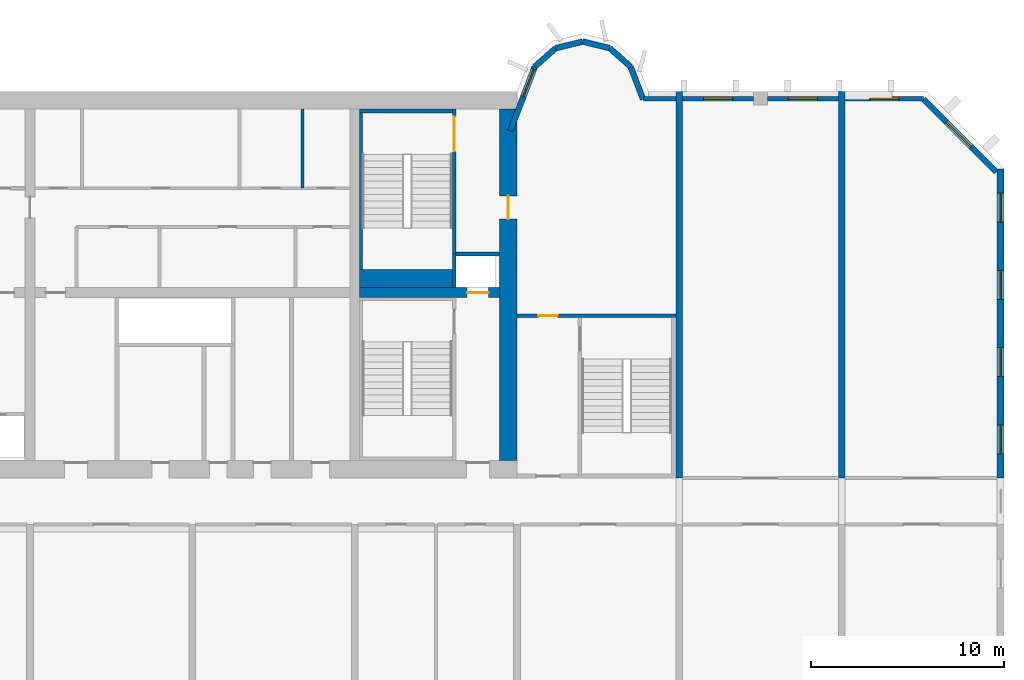
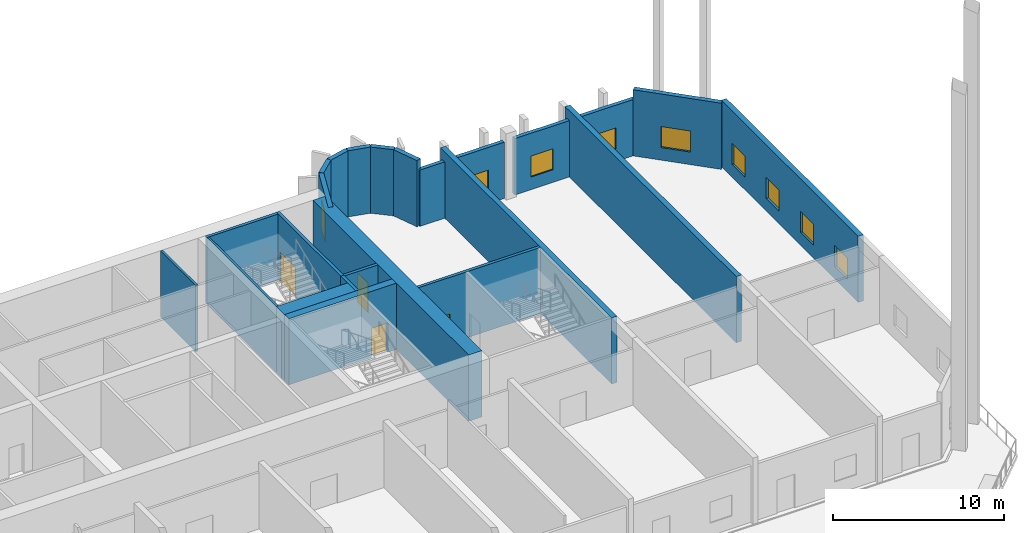
# One storey, part 8 of 13: 24 walls, 9 windows, 4 doors, 13 openings.
"""IFC4 building model written with IfcOpenShell, lengths in metres."""

from ifc_helpers import new_model, si_unit, direction, frame, frame_2d, origin, place, context, subcontext, project, spatial, rectangle, extrude, source, transform, mapped, material, layer, layer_set, type_object, element, fill, save


model = new_model("IFC4")

# Units and contexts
model_context = context("Model", 3, precision=1e-05, world=origin(), true_north=direction((0.0, 1.0)))
body_context = subcontext(model_context, "Body", "Model", "MODEL_VIEW")
ifc_project = project(units=[si_unit("LENGTHUNIT", "METRE"), si_unit("AREAUNIT", "SQUARE_METRE"), si_unit("VOLUMEUNIT", "CUBIC_METRE"), si_unit("PLANEANGLEUNIT", "RADIAN"), si_unit("MASSUNIT", "GRAM", prefix="KILO")], contexts=[model_context])

# Site, building, storey
site_placement = place(None, origin())
site = spatial("IfcSite", under=ifc_project, at=site_placement, CompositionType="ELEMENT")
building_placement = place(site_placement, origin())
building = spatial("IfcBuilding", under=site, at=building_placement, Name="Vanashikhar Sky Hotel", CompositionType="ELEMENT")
storey_placement = place(building_placement, frame((0.0, 0.0, 86.39990234375)))
storey = spatial("IfcBuildingStorey", under=building, at=storey_placement, Name="L20", CompositionType="ELEMENT", Elevation=86.39990234375)

# Wall, opening, door
ifc_material_1 = material(Name="Concrete M70", Category="concrete")
ifc_layer_1 = layer(ifc_material_1, 0.89990234375)
ifc_layer_set_1 = layer_set([ifc_layer_1], Name="RC core shell wall 900 Concrete M70")
wall_type_1 = type_object("IfcWallType", Name="RC core shell wall 900 Concrete M70", PredefinedType="SHEAR", material=ifc_layer_set_1)
shared_shape_1 = source(origin(), body_context, "Body", "SweptSolid", [
    extrude(rectangle(XDim=18.2001953125, YDim=0.89990234375, at=frame_2d((9.10009765625, 0.0))), origin(), (0.0, 0.0, 1.0), 4.72021484375),
])
wall_1_placement = place(storey_placement, frame((75.14990234375, 22.89990234375, 0.0), z_axis=(0.0, 0.0, 1.0), x_axis=(0.0, 1.0, 0.0)))
wall_1 = element("IfcWall", 1, at=wall_1_placement, inside=storey, type_object=wall_type_1, Name="KW-L20-KE", PredefinedType="SHEAR", context=body_context, shape_type="MappedRepresentation", body=[
    mapped(shared_shape_1, transform((0.0, 0.0, 0.0), scale=1.0)),
])
shared_shape_2 = source(origin(), body_context, "Body", "SweptSolid", [
    extrude(rectangle(XDim=1.199951171875, YDim=2.10009765625, at=frame_2d((0.60009765625, 1.050048828125))), frame((0.0, 0.4599609375, 0.0), z_axis=(0.0, -1.0, 0.0), x_axis=(1.0, 0.0, 0.0)), (0.0, 0.0, 1.0), 0.919921875),
])
opening_1_placement = place(wall_1_placement, frame((12.5, 0.0, 0.0)))
opening_1 = element("IfcOpeningElement", 2, at=opening_1_placement, cuts=wall_1, Name="Opening DC-4-D", PredefinedType="OPENING", context=body_context, shape_type="MappedRepresentation", body=[
    mapped(shared_shape_2, transform((0.0, 0.0, 0.0), scale=1.0)),
])
ifc_material_2 = material(Name="Steel", Category="steel")
door_type_1 = type_object("IfcDoorType", Name="Service door 1200 FD120", OperationType="NOTDEFINED", PredefinedType="DOOR", material=ifc_material_2)
shared_shape_3 = source(origin(), body_context, "Body", "SweptSolid", [
    extrude(rectangle(XDim=1.199951171875, YDim=2.10009765625, at=frame_2d((0.60009765625, 1.050048828125))), frame((0.0, 0.02490234375, 0.0), z_axis=(0.0, -1.0, 0.0), x_axis=(1.0, 0.0, 0.0)), (0.0, 0.0, 1.0), 0.050048828125),
])
door_1_placement = place(opening_1_placement, origin())
door_1 = element("IfcDoor", 3, at=door_1_placement, inside=storey, type_object=door_type_1, Name="Service door 1200 FD120", OperationType="SINGLE_SWING_RIGHT", OverallHeight=2.10009765625, OverallWidth=1.199951171875, PredefinedType="DOOR", context=body_context, shape_type="MappedRepresentation", body=[
    mapped(shared_shape_3, transform((0.0, 0.0, 0.0), scale=1.0)),
])
fill(opening_1, door_1)

ifc_layer_2 = layer(ifc_material_1, 0.5)
ifc_layer_set_2 = layer_set([ifc_layer_2], Name="RC core inner wall 500 Concrete M70")
wall_type_2 = type_object("IfcWallType", Name="RC core inner wall 500 Concrete M70", PredefinedType="SHEAR", material=ifc_layer_set_2)
shared_shape_4 = source(origin(), body_context, "Body", "SweptSolid", [
    extrude(rectangle(XDim=7.25, YDim=0.5, at=frame_2d((3.625, 0.0))), origin(), (0.0, 0.0, 1.0), 4.72021484375),
])
wall_2_placement = place(storey_placement, frame((67.449951171875, 31.60009765625, 0.0), z_axis=(0.0, 0.0, 1.0), x_axis=(1.0, 0.0, 0.0)))
wall_2 = element("IfcWall", 4, at=wall_2_placement, inside=storey, type_object=wall_type_2, Name="KW-L20-KY4", PredefinedType="SHEAR", context=body_context, shape_type="MappedRepresentation", body=[
    mapped(shared_shape_4, transform((0.0, 0.0, 0.0), scale=1.0)),
])
shared_shape_5 = source(origin(), body_context, "Body", "SweptSolid", [
    extrude(rectangle(XDim=1.10009765625, YDim=2.10009765625, at=frame_2d((0.550048828125, 1.050048828125))), frame((0.0, 0.260009765625, 0.0), z_axis=(0.0, -1.0, 0.0), x_axis=(1.0, 0.0, 0.0)), (0.0, 0.0, 1.0), 0.52001953125),
])
opening_2_placement = place(wall_2_placement, frame((5.574951171875, 0.0, 0.0)))
opening_2 = element("IfcOpeningElement", 5, at=opening_2_placement, cuts=wall_2, Name="Opening LD", PredefinedType="OPENING", context=body_context, shape_type="MappedRepresentation", body=[
    mapped(shared_shape_5, transform((0.0, 0.0, 0.0), scale=1.0)),
])
ifc_material_3 = material(Name="Stainless steel", Category="steel")
door_type_2 = type_object("IfcDoorType", Name="Lift landing door 1100", OperationType="NOTDEFINED", PredefinedType="DOOR", material=ifc_material_3)
shared_shape_6 = source(origin(), body_context, "Body", "SweptSolid", [
    extrude(rectangle(XDim=1.10009765625, YDim=2.10009765625, at=frame_2d((0.550048828125, 1.050048828125))), frame((0.0, 0.02490234375, 0.0), z_axis=(0.0, -1.0, 0.0), x_axis=(1.0, 0.0, 0.0)), (0.0, 0.0, 1.0), 0.050048828125),
])
door_2_placement = place(opening_2_placement, origin())
door_2 = element("IfcDoor", 6, at=door_2_placement, inside=storey, type_object=door_type_2, Name="Lift landing door 1100", OperationType="SLIDING_TO_RIGHT", OverallHeight=2.10009765625, OverallWidth=1.10009765625, PredefinedType="DOOR", context=body_context, shape_type="MappedRepresentation", body=[
    mapped(shared_shape_6, transform((0.0, 0.0, 0.0), scale=1.0)),
])
fill(opening_2, door_2)

# Wall, openings, windows
ifc_layer_3 = layer(ifc_material_1, 0.35009765625)
ifc_layer_set_3 = layer_set([ifc_layer_3], Name="RC shear wall 350 Concrete M70")
wall_type_3 = type_object("IfcWallType", Name="RC shear wall 350 Concrete M70", PredefinedType="SHEAR", material=ifc_layer_set_3)
shared_shape_7 = source(origin(), body_context, "Body", "SweptSolid", [
    extrude(rectangle(XDim=16.0, YDim=0.35009765625, at=frame_2d((8.0, 0.0))), origin(), (0.0, 0.0, 1.0), 4.72021484375),
])
wall_3_placement = place(storey_placement, frame((100.625, 22.0, 0.0), z_axis=(0.0, 0.0, 1.0), x_axis=(0.0, 1.0, 0.0)))
wall_3 = element("IfcWall", 7, at=wall_3_placement, inside=storey, type_object=wall_type_3, Name="CW-L20-XW13-2", PredefinedType="SHEAR", context=body_context, shape_type="MappedRepresentation", body=[
    mapped(shared_shape_7, transform((0.0, 0.0, 0.0), scale=1.0)),
])
shared_shape_8 = source(origin(), body_context, "Body", "SweptSolid", [
    extrude(rectangle(XDim=1.5, YDim=1.5, at=frame_2d((0.75, 0.75))), frame((0.0, 0.18505859375, 0.0), z_axis=(0.0, -1.0, 0.0), x_axis=(1.0, 0.0, 0.0)), (0.0, 0.0, 1.0), 0.3701171875),
])
opening_3_placement = place(wall_3_placement, frame((1.25, 0.0, 0.89990234375)))
opening_3 = element("IfcOpeningElement", 8, at=opening_3_placement, cuts=wall_3, Name="Opening WN-1", PredefinedType="OPENING", context=body_context, shape_type="MappedRepresentation", body=[
    mapped(shared_shape_8, transform((0.0, 0.0, 0.0), scale=1.0)),
])
opening_4_placement = place(wall_3_placement, frame((5.25, 0.0, 0.89990234375)))
opening_4 = element("IfcOpeningElement", 9, at=opening_4_placement, cuts=wall_3, Name="Opening WN-1", PredefinedType="OPENING", context=body_context, shape_type="MappedRepresentation", body=[
    mapped(shared_shape_8, transform((0.0, 0.0, 0.0), scale=1.0)),
])
opening_5_placement = place(wall_3_placement, frame((9.25, 0.0, 0.89990234375)))
opening_5 = element("IfcOpeningElement", 10, at=opening_5_placement, cuts=wall_3, Name="Opening WN-1", PredefinedType="OPENING", context=body_context, shape_type="MappedRepresentation", body=[
    mapped(shared_shape_8, transform((0.0, 0.0, 0.0), scale=1.0)),
])
opening_6_placement = place(wall_3_placement, frame((13.25, 0.0, 0.89990234375)))
opening_6 = element("IfcOpeningElement", 11, at=opening_6_placement, cuts=wall_3, Name="Opening WN-1", PredefinedType="OPENING", context=body_context, shape_type="MappedRepresentation", body=[
    mapped(shared_shape_8, transform((0.0, 0.0, 0.0), scale=1.0)),
])
ifc_material_4 = material(Name="Glass", Category="glass")
window_type_1 = type_object("IfcWindowType", Name="Window 1500 x 1500", PartitioningType="SINGLE_PANEL", PredefinedType="WINDOW", material=ifc_material_4)
shared_shape_9 = source(origin(), body_context, "Body", "SweptSolid", [
    extrude(rectangle(XDim=1.5, YDim=1.5, at=frame_2d((0.75, 0.75))), frame((0.0, 0.030029296875, 0.0), z_axis=(0.0, -1.0, 0.0), x_axis=(1.0, 0.0, 0.0)), (0.0, 0.0, 1.0), 0.06005859375),
])
window_1_placement = place(opening_3_placement, origin())
window_1 = element("IfcWindow", 12, at=window_1_placement, inside=storey, type_object=window_type_1, Name="Window WN-1", OverallHeight=1.5, OverallWidth=1.5, PartitioningType="SINGLE_PANEL", PredefinedType="WINDOW", context=body_context, shape_type="MappedRepresentation", body=[
    mapped(shared_shape_9, transform((0.0, 0.0, 0.0), scale=1.0)),
])
fill(opening_3, window_1)
window_2_placement = place(opening_4_placement, origin())
window_2 = element("IfcWindow", 13, at=window_2_placement, inside=storey, type_object=window_type_1, Name="Window WN-1", OverallHeight=1.5, OverallWidth=1.5, PartitioningType="SINGLE_PANEL", PredefinedType="WINDOW", context=body_context, shape_type="MappedRepresentation", body=[
    mapped(shared_shape_9, transform((0.0, 0.0, 0.0), scale=1.0)),
])
fill(opening_4, window_2)
window_3_placement = place(opening_5_placement, origin())
window_3 = element("IfcWindow", 14, at=window_3_placement, inside=storey, type_object=window_type_1, Name="Window WN-1", OverallHeight=1.5, OverallWidth=1.5, PartitioningType="SINGLE_PANEL", PredefinedType="WINDOW", context=body_context, shape_type="MappedRepresentation", body=[
    mapped(shared_shape_9, transform((0.0, 0.0, 0.0), scale=1.0)),
])
fill(opening_5, window_3)
window_4_placement = place(opening_6_placement, origin())
window_4 = element("IfcWindow", 15, at=window_4_placement, inside=storey, type_object=window_type_1, Name="Window WN-1", OverallHeight=1.5, OverallWidth=1.5, PartitioningType="SINGLE_PANEL", PredefinedType="WINDOW", context=body_context, shape_type="MappedRepresentation", body=[
    mapped(shared_shape_9, transform((0.0, 0.0, 0.0), scale=1.0)),
])
fill(opening_6, window_4)

# Walls
shared_shape_10 = source(origin(), body_context, "Body", "SweptSolid", [
    extrude(rectangle(XDim=20.0, YDim=0.35009765625, at=frame_2d((10.0, 0.0))), origin(), (0.0, 0.0, 1.0), 4.72021484375),
])
for number, where, z_axis, x_axis, name in (
    (16, (84.0, 22.0, 0.0), (0.0, 0.0, 1.0), (0.0, 1.0, 0.0), "CW-L20-XW11-2"),
    (17, (92.39990234375, 22.0, 0.0), (0.0, 0.0, 1.0), (0.0, 1.0, 0.0), "CW-L20-XW12-2"),
):
    element("IfcWall", number, at=place(storey_placement, frame(where, z_axis=z_axis, x_axis=x_axis)), inside=storey, type_object=wall_type_3, Name=name, PredefinedType="SHEAR", context=body_context, shape_type="MappedRepresentation", body=[
        mapped(shared_shape_10, transform((0.0, 0.0, 0.0), scale=1.0)),
    ])

# Wall, opening, window
ifc_material_5 = material(Name="Concrete M50", Category="concrete")
ifc_layer_4 = layer(ifc_material_5, 0.300048828125)
ifc_layer_set_4 = layer_set([ifc_layer_4], Name="Lobe wall 300")
wall_type_4 = type_object("IfcWallType", Name="Lobe wall 300", PredefinedType="SOLIDWALL", material=ifc_layer_set_4)
shared_shape_11 = source(origin(), body_context, "Body", "SweptSolid", [
    extrude(rectangle(XDim=5.32568359375, YDim=0.300048828125, at=frame_2d((2.662841796875, 0.0))), origin(), (0.0, 0.0, 1.0), 4.72021484375),
])
wall_4_placement = place(storey_placement, frame((100.39990234375, 37.834228515625, 0.0), z_axis=(0.0, 0.0, 1.0), x_axis=(-0.707083859269, 0.707129702361, 0.0)))
wall_4 = element("IfcWall", 18, at=wall_4_placement, inside=storey, type_object=wall_type_4, Name="Corner wall", PredefinedType="SOLIDWALL", context=body_context, shape_type="MappedRepresentation", body=[
    mapped(shared_shape_11, transform((0.0, 0.0, 0.0), scale=1.0)),
])
shared_shape_12 = source(origin(), body_context, "Body", "SweptSolid", [
    extrude(rectangle(XDim=1.800048828125, YDim=1.5, at=frame_2d((0.89990234375, 0.75))), frame((0.0, 0.16015625, 0.0), z_axis=(0.0, -1.0, 0.0), x_axis=(1.0, 0.0, 0.0)), (0.0, 0.0, 1.0), 0.320068359375),
])
opening_7_placement = place(wall_4_placement, frame((1.853759765625, 0.0, 0.89990234375)))
opening_7 = element("IfcOpeningElement", 19, at=opening_7_placement, cuts=wall_4, Name="Opening WN-4", PredefinedType="OPENING", context=body_context, shape_type="MappedRepresentation", body=[
    mapped(shared_shape_12, transform((0.0, 0.0, 0.0), scale=1.0)),
])
window_type_2 = type_object("IfcWindowType", Name="Corner window 1800 x 1500", PartitioningType="SINGLE_PANEL", PredefinedType="WINDOW", material=ifc_material_4)
shared_shape_13 = source(origin(), body_context, "Body", "SweptSolid", [
    extrude(rectangle(XDim=1.800048828125, YDim=1.5, at=frame_2d((0.89990234375, 0.75))), frame((0.0, 0.030029296875, 0.0), z_axis=(0.0, -1.0, 0.0), x_axis=(1.0, 0.0, 0.0)), (0.0, 0.0, 1.0), 0.06005859375),
])
window_5_placement = place(opening_7_placement, origin())
window_5 = element("IfcWindow", 20, at=window_5_placement, inside=storey, type_object=window_type_2, Name="Window WN-4", OverallHeight=1.5, OverallWidth=1.800048828125, PartitioningType="SINGLE_PANEL", PredefinedType="WINDOW", context=body_context, shape_type="MappedRepresentation", body=[
    mapped(shared_shape_13, transform((0.0, 0.0, 0.0), scale=1.0)),
])
fill(opening_7, window_5)

# Wall
ifc_layer_5 = layer(ifc_material_5, 0.25)
ifc_layer_set_5 = layer_set([ifc_layer_5], Name="Rear and end board-marked wall 250")
wall_type_5 = type_object("IfcWallType", Name="Rear and end board-marked wall 250", PredefinedType="SOLIDWALL", material=ifc_layer_set_5)
shared_shape_14 = source(origin(), body_context, "Body", "SweptSolid", [
    extrude(rectangle(XDim=1.682861328125, YDim=0.25, at=frame_2d((0.84130859375, 0.0))), origin(), (0.0, 0.0, 1.0), 4.02001953125),
])
wall_5_placement = place(storey_placement, frame((83.824951171875, 41.625, 0.0), z_axis=(0.0, 0.0, 1.0), x_axis=(-1.0, 0.0, 0.0)))
element("IfcWall", 21, at=wall_5_placement, inside=storey, type_object=wall_type_5, Name="Rear board-marked wall", PredefinedType="SOLIDWALL", context=body_context, shape_type="MappedRepresentation", body=[
    mapped(shared_shape_14, transform((0.0, 0.0, 0.0), scale=1.0)),
])

# Wall, opening, window
shared_shape_15 = source(origin(), body_context, "Body", "SweptSolid", [
    extrude(rectangle(XDim=3.675048828125, YDim=0.25, at=frame_2d((1.83740234375, 0.0))), origin(), (0.0, 0.0, 1.0), 4.02001953125),
])
wall_6_placement = place(storey_placement, frame((87.85009765625, 41.625, 0.0), z_axis=(0.0, 0.0, 1.0), x_axis=(-1.0, 0.0, 0.0)))
wall_6 = element("IfcWall", 22, at=wall_6_placement, inside=storey, type_object=wall_type_5, Name="Rear board-marked wall", PredefinedType="SOLIDWALL", context=body_context, shape_type="MappedRepresentation", body=[
    mapped(shared_shape_15, transform((0.0, 0.0, 0.0), scale=1.0)),
])
shared_shape_16 = source(origin(), body_context, "Body", "SweptSolid", [
    extrude(rectangle(XDim=1.5, YDim=1.5, at=frame_2d((0.75, 0.75))), frame((0.0, 0.135009765625, 0.0), z_axis=(0.0, -1.0, 0.0), x_axis=(1.0, 0.0, 0.0)), (0.0, 0.0, 1.0), 0.27001953125),
])
opening_8_placement = place(wall_6_placement, frame((1.08740234375, 0.0, 0.89990234375)))
opening_8 = element("IfcOpeningElement", 23, at=opening_8_placement, cuts=wall_6, Name="Opening WN-1", PredefinedType="OPENING", context=body_context, shape_type="MappedRepresentation", body=[
    mapped(shared_shape_16, transform((0.0, 0.0, 0.0), scale=1.0)),
])
window_6_placement = place(opening_8_placement, origin())
window_6 = element("IfcWindow", 24, at=window_6_placement, inside=storey, type_object=window_type_1, Name="Window WN-1", OverallHeight=1.5, OverallWidth=1.5, PartitioningType="SINGLE_PANEL", PredefinedType="WINDOW", context=body_context, shape_type="MappedRepresentation", body=[
    mapped(shared_shape_9, transform((0.0, 0.0, 0.0), scale=1.0)),
])
fill(opening_8, window_6)

wall_7_placement = place(storey_placement, frame((92.22509765625, 41.625, 0.0), z_axis=(0.0, 0.0, 1.0), x_axis=(-1.0, 0.0, 0.0)))
wall_7 = element("IfcWall", 25, at=wall_7_placement, inside=storey, type_object=wall_type_5, Name="Rear board-marked wall", PredefinedType="SOLIDWALL", context=body_context, shape_type="MappedRepresentation", body=[
    mapped(shared_shape_15, transform((0.0, 0.0, 0.0), scale=1.0)),
])
opening_9_placement = place(wall_7_placement, frame((1.08740234375, 0.0, 0.89990234375)))
opening_9 = element("IfcOpeningElement", 26, at=opening_9_placement, cuts=wall_7, Name="Opening WN-1", PredefinedType="OPENING", context=body_context, shape_type="MappedRepresentation", body=[
    mapped(shared_shape_16, transform((0.0, 0.0, 0.0), scale=1.0)),
])
window_7_placement = place(opening_9_placement, origin())
window_7 = element("IfcWindow", 27, at=window_7_placement, inside=storey, type_object=window_type_1, Name="Window WN-1", OverallHeight=1.5, OverallWidth=1.5, PartitioningType="SINGLE_PANEL", PredefinedType="WINDOW", context=body_context, shape_type="MappedRepresentation", body=[
    mapped(shared_shape_9, transform((0.0, 0.0, 0.0), scale=1.0)),
])
fill(opening_9, window_7)

shared_shape_17 = source(origin(), body_context, "Body", "SweptSolid", [
    extrude(rectangle(XDim=4.06982421875, YDim=0.25, at=frame_2d((2.034912109375, 0.0))), origin(), (0.0, 0.0, 1.0), 4.02001953125),
])
wall_8_placement = place(storey_placement, frame((96.644775390625, 41.625, 0.0), z_axis=(0.0, 0.0, 1.0), x_axis=(-1.0, 0.0, 0.0)))
wall_8 = element("IfcWall", 28, at=wall_8_placement, inside=storey, type_object=wall_type_5, Name="Rear board-marked wall", PredefinedType="SOLIDWALL", context=body_context, shape_type="MappedRepresentation", body=[
    mapped(shared_shape_17, transform((0.0, 0.0, 0.0), scale=1.0)),
])
opening_10_placement = place(wall_8_placement, frame((1.284912109375, 0.0, 0.89990234375)))
opening_10 = element("IfcOpeningElement", 29, at=opening_10_placement, cuts=wall_8, Name="Opening WN-1", PredefinedType="OPENING", context=body_context, shape_type="MappedRepresentation", body=[
    mapped(shared_shape_16, transform((0.0, 0.0, 0.0), scale=1.0)),
])
window_8_placement = place(opening_10_placement, origin())
window_8 = element("IfcWindow", 30, at=window_8_placement, inside=storey, type_object=window_type_1, Name="Window WN-1", OverallHeight=1.5, OverallWidth=1.5, PartitioningType="SINGLE_PANEL", PredefinedType="WINDOW", context=body_context, shape_type="MappedRepresentation", body=[
    mapped(shared_shape_9, transform((0.0, 0.0, 0.0), scale=1.0)),
])
fill(opening_10, window_8)

# Walls
shared_shape_18 = source(origin(), body_context, "Body", "SweptSolid", [
    extrude(rectangle(XDim=1.81201171875, YDim=0.300048828125, at=frame_2d((0.906005859375, 0.0))), origin(), (0.0, 0.0, 1.0), 4.72021484375),
])
wall_9_placement = place(storey_placement, frame((82.125, 41.60009765625, 0.0), z_axis=(0.0, 0.0, 1.0), x_axis=(-0.357877270961, 0.93376863244, 0.0)))
element("IfcWall", 31, at=wall_9_placement, inside=storey, type_object=wall_type_4, Name="Lobe wall", PredefinedType="SOLIDWALL", context=body_context, shape_type="MappedRepresentation", body=[
    mapped(shared_shape_18, transform((0.0, 0.0, 0.0), scale=1.0)),
])
shared_shape_19 = source(origin(), body_context, "Body", "SweptSolid", [
    extrude(rectangle(XDim=1.43994140625, YDim=0.300048828125, at=frame_2d((0.719970703125, 0.0))), origin(), (0.0, 0.0, 1.0), 4.72021484375),
])
for number, where, z_axis, x_axis, name in (
    (32, (81.4765625, 43.2919921875, 0.0), (0.0, 0.0, 1.0), (-0.74957555648, 0.661918790432, 0.0), "Lobe wall"),
    (33, (77.602783203125, 44.2451171875, 0.0), (0.0, 0.0, 1.0), (-0.74957555648, -0.661918790432, 0.0), "Lobe wall"),
):
    element("IfcWall", number, at=place(storey_placement, frame(where, z_axis=z_axis, x_axis=x_axis)), inside=storey, type_object=wall_type_4, Name=name, PredefinedType="SOLIDWALL", context=body_context, shape_type="MappedRepresentation", body=[
        mapped(shared_shape_19, transform((0.0, 0.0, 0.0), scale=1.0)),
    ])
shared_shape_20 = source(origin(), body_context, "Body", "SweptSolid", [
    extrude(rectangle(XDim=1.438720703125, YDim=0.300048828125, at=frame_2d((0.71923828125, 0.0))), origin(), (0.0, 0.0, 1.0), 4.72021484375),
])
for number, where, z_axis, x_axis, name in (
    (34, (80.397216796875, 44.2451171875, 0.0), (0.0, 0.0, 1.0), (-0.971161932466, 0.238420848351, 0.0), "Lobe wall"),
    (35, (79.0, 44.588134765625, 0.0), (0.0, 0.0, 1.0), (-0.971161932466, -0.238420848351, 0.0), "Lobe wall"),
):
    element("IfcWall", number, at=place(storey_placement, frame(where, z_axis=z_axis, x_axis=x_axis)), inside=storey, type_object=wall_type_4, Name=name, PredefinedType="SOLIDWALL", context=body_context, shape_type="MappedRepresentation", body=[
        mapped(shared_shape_20, transform((0.0, 0.0, 0.0), scale=1.0)),
    ])

# Wall, opening, window
shared_shape_21 = source(origin(), body_context, "Body", "SweptSolid", [
    extrude(rectangle(XDim=3.55908203125, YDim=0.300048828125, at=frame_2d((1.779541015625, 0.0))), origin(), (0.0, 0.0, 1.0), 4.72021484375),
])
wall_10_placement = place(storey_placement, frame((76.5234375, 43.2919921875, 0.0), z_axis=(0.0, 0.0, 1.0), x_axis=(-0.35779745313, -0.933799219604, 0.0)))
wall_10 = element("IfcWall", 36, at=wall_10_placement, inside=storey, type_object=wall_type_4, Name="Lobe wall", PredefinedType="SOLIDWALL", context=body_context, shape_type="MappedRepresentation", body=[
    mapped(shared_shape_21, transform((0.0, 0.0, 0.0), scale=1.0)),
])
shared_shape_22 = source(origin(), body_context, "Body", "SweptSolid", [
    extrude(rectangle(XDim=1.5, YDim=2.0, at=frame_2d((0.75, 1.0))), frame((0.0, 0.16015625, 0.0), z_axis=(0.0, -1.0, 0.0), x_axis=(1.0, 0.0, 0.0)), (0.0, 0.0, 1.0), 0.320068359375),
])
opening_11_placement = place(wall_10_placement, frame((0.156005859375, 0.0, 0.89990234375)))
opening_11 = element("IfcOpeningElement", 37, at=opening_11_placement, cuts=wall_10, Name="Opening WN-2", PredefinedType="OPENING", context=body_context, shape_type="MappedRepresentation", body=[
    mapped(shared_shape_22, transform((0.0, 0.0, 0.0), scale=1.0)),
])
window_type_3 = type_object("IfcWindowType", Name="Lobe window 1500 x 2000", PartitioningType="SINGLE_PANEL", PredefinedType="WINDOW", material=ifc_material_4)
shared_shape_23 = source(origin(), body_context, "Body", "SweptSolid", [
    extrude(rectangle(XDim=1.5, YDim=2.0, at=frame_2d((0.75, 1.0))), frame((0.0, 0.030029296875, 0.0), z_axis=(0.0, -1.0, 0.0), x_axis=(1.0, 0.0, 0.0)), (0.0, 0.0, 1.0), 0.06005859375),
])
window_9_placement = place(opening_11_placement, origin())
window_9 = element("IfcWindow", 38, at=window_9_placement, inside=storey, type_object=window_type_3, Name="Window WN-2", OverallHeight=2.0, OverallWidth=1.5, PartitioningType="SINGLE_PANEL", PredefinedType="WINDOW", context=body_context, shape_type="MappedRepresentation", body=[
    mapped(shared_shape_23, transform((0.0, 0.0, 0.0), scale=1.0)),
])
fill(opening_11, window_9)

# Walls
ifc_material_6 = material(Name="Gypsum board partition")
ifc_layer_6 = layer(ifc_material_6, 0.14990234375)
ifc_layer_set_6 = layer_set([ifc_layer_6], Name="Service partition 150")
wall_type_6 = type_object("IfcWallType", Name="Service partition 150", PredefinedType="PARTITIONING", material=ifc_layer_set_6)
shared_shape_24 = source(origin(), body_context, "Body", "SweptSolid", [
    extrude(rectangle(XDim=4.10009765625, YDim=0.14990234375, at=frame_2d((2.050048828125, 0.0))), origin(), (0.0, 0.0, 1.0), 4.72021484375),
])
wall_11_placement = place(storey_placement, frame((64.5048828125, 37.0, 0.0), z_axis=(0.0, 0.0, 1.0), x_axis=(0.0, 1.0, 0.0)))
element("IfcWall", 39, at=wall_11_placement, inside=storey, type_object=wall_type_6, Name="Service partition 150", PredefinedType="PARTITIONING", context=body_context, shape_type="MappedRepresentation", body=[
    mapped(shared_shape_24, transform((0.0, 0.0, 0.0), scale=1.0)),
])
ifc_material_7 = material(Name="Concrete M40", Category="concrete")
ifc_layer_7 = layer(ifc_material_7, 0.199951171875)
ifc_layer_set_7 = layer_set([ifc_layer_7], Name="Shaft wall 200")
wall_type_7 = type_object("IfcWallType", Name="Shaft wall 200", PredefinedType="SOLIDWALL", material=ifc_layer_set_7)
shared_shape_25 = source(origin(), body_context, "Body", "SweptSolid", [
    extrude(rectangle(XDim=1.75, YDim=0.199951171875, at=frame_2d((0.875, 0.0))), origin(), (0.0, 0.0, 1.0), 4.72021484375),
])
wall_12_placement = place(storey_placement, frame((72.35009765625, 31.85009765625, 0.0), z_axis=(0.0, 0.0, 1.0), x_axis=(0.0, 1.0, 0.0)))
element("IfcWall", 40, at=wall_12_placement, inside=storey, type_object=wall_type_7, Name="Shaft wall 200", PredefinedType="SOLIDWALL", context=body_context, shape_type="MappedRepresentation", body=[
    mapped(shared_shape_25, transform((0.0, 0.0, 0.0), scale=1.0)),
])

# Wall, opening, door
ifc_layer_8 = layer(ifc_material_5, 0.199951171875)
ifc_layer_set_8 = layer_set([ifc_layer_8], Name="Stair wall 200")
wall_type_8 = type_object("IfcWallType", Name="Stair wall 200", PredefinedType="SOLIDWALL", material=ifc_layer_set_8)
shared_shape_26 = source(origin(), body_context, "Body", "SweptSolid", [
    extrude(rectangle(XDim=7.5, YDim=0.199951171875, at=frame_2d((3.75, 0.0))), origin(), (0.0, 0.0, 1.0), 4.72021484375),
])
wall_13_placement = place(storey_placement, frame((72.35009765625, 33.60009765625, 0.0), z_axis=(0.0, 0.0, 1.0), x_axis=(0.0, 1.0, 0.0)))
wall_13 = element("IfcWall", 41, at=wall_13_placement, inside=storey, type_object=wall_type_8, Name="Stair wall 200", PredefinedType="SOLIDWALL", context=body_context, shape_type="MappedRepresentation", body=[
    mapped(shared_shape_26, transform((0.0, 0.0, 0.0), scale=1.0)),
])
shared_shape_27 = source(origin(), body_context, "Body", "SweptSolid", [
    extrude(rectangle(XDim=1.800048828125, YDim=2.10009765625, at=frame_2d((0.89990234375, 1.050048828125))), frame((0.0, 0.10986328125, 0.0), z_axis=(0.0, -1.0, 0.0), x_axis=(1.0, 0.0, 0.0)), (0.0, 0.0, 1.0), 0.219970703125),
])
opening_12_placement = place(wall_13_placement, frame((5.300048828125, 0.0, 0.0)))
opening_12 = element("IfcOpeningElement", 42, at=opening_12_placement, cuts=wall_13, Name="Opening DC-1-A", PredefinedType="OPENING", context=body_context, shape_type="MappedRepresentation", body=[
    mapped(shared_shape_27, transform((0.0, 0.0, 0.0), scale=1.0)),
])
door_type_3 = type_object("IfcDoorType", Name="Stair door 1800 FD120", OperationType="NOTDEFINED", PredefinedType="DOOR", material=ifc_material_2)
shared_shape_28 = source(origin(), body_context, "Body", "SweptSolid", [
    extrude(rectangle(XDim=1.800048828125, YDim=2.10009765625, at=frame_2d((0.89990234375, 1.050048828125))), frame((0.0, 0.02490234375, 0.0), z_axis=(0.0, -1.0, 0.0), x_axis=(1.0, 0.0, 0.0)), (0.0, 0.0, 1.0), 0.050048828125),
])
door_3_placement = place(opening_12_placement, origin())
door_3 = element("IfcDoor", 43, at=door_3_placement, inside=storey, type_object=door_type_3, Name="Stair door 1800 FD120", OperationType="SINGLE_SWING_LEFT", OverallHeight=2.10009765625, OverallWidth=1.800048828125, PredefinedType="DOOR", context=body_context, shape_type="MappedRepresentation", body=[
    mapped(shared_shape_28, transform((0.0, 0.0, 0.0), scale=1.0)),
])
fill(opening_12, door_3)

# Wall
shared_shape_29 = source(origin(), body_context, "Body", "SweptSolid", [
    extrude(rectangle(XDim=2.25, YDim=0.199951171875, at=frame_2d((1.125, 0.0))), origin(), (0.0, 0.0, 1.0), 4.72021484375),
])
wall_14_placement = place(storey_placement, frame((72.449951171875, 33.60009765625, 0.0), z_axis=(0.0, 0.0, 1.0), x_axis=(1.0, 0.0, 0.0)))
element("IfcWall", 44, at=wall_14_placement, inside=storey, type_object=wall_type_7, Name="Shaft wall 200", PredefinedType="SOLIDWALL", context=body_context, shape_type="MappedRepresentation", body=[
    mapped(shared_shape_29, transform((0.0, 0.0, 0.0), scale=1.0)),
])

# Wall, opening, door
shared_shape_30 = source(origin(), body_context, "Body", "SweptSolid", [
    extrude(rectangle(XDim=8.224853515625, YDim=0.199951171875, at=frame_2d((4.1123046875, 0.0))), origin(), (0.0, 0.0, 1.0), 4.72021484375),
])
wall_15_placement = place(storey_placement, frame((83.824951171875, 30.39990234375, 0.0), z_axis=(0.0, 0.0, 1.0), x_axis=(-1.0, 0.0, 0.0)))
wall_15 = element("IfcWall", 45, at=wall_15_placement, inside=storey, type_object=wall_type_8, Name="Stair wall 200", PredefinedType="SOLIDWALL", context=body_context, shape_type="MappedRepresentation", body=[
    mapped(shared_shape_30, transform((0.0, 0.0, 0.0), scale=1.0)),
])
shared_shape_31 = source(origin(), body_context, "Body", "SweptSolid", [
    extrude(rectangle(XDim=1.0, YDim=2.10009765625, at=frame_2d((0.5, 1.050048828125))), frame((0.0, 0.10986328125, 0.0), z_axis=(0.0, -1.0, 0.0), x_axis=(1.0, 0.0, 0.0)), (0.0, 0.0, 1.0), 0.219970703125),
])
opening_13_placement = place(wall_15_placement, frame((6.125, 0.0, 0.0)))
opening_13 = element("IfcOpeningElement", 46, at=opening_13_placement, cuts=wall_15, Name="Opening DC-6", PredefinedType="OPENING", context=body_context, shape_type="MappedRepresentation", body=[
    mapped(shared_shape_31, transform((0.0, 0.0, 0.0), scale=1.0)),
])
door_type_4 = type_object("IfcDoorType", Name="Pocket door 1000 FD60", OperationType="NOTDEFINED", PredefinedType="DOOR", material=ifc_material_2)
shared_shape_32 = source(origin(), body_context, "Body", "SweptSolid", [
    extrude(rectangle(XDim=1.0, YDim=2.10009765625, at=frame_2d((0.5, 1.050048828125))), frame((0.0, 0.02490234375, 0.0), z_axis=(0.0, -1.0, 0.0), x_axis=(1.0, 0.0, 0.0)), (0.0, 0.0, 1.0), 0.050048828125),
])
door_4_placement = place(opening_13_placement, origin())
door_4 = element("IfcDoor", 47, at=door_4_placement, inside=storey, type_object=door_type_4, Name="Pocket door 1000 FD60", OperationType="SINGLE_SWING_RIGHT", OverallHeight=2.10009765625, OverallWidth=1.0, PredefinedType="DOOR", context=body_context, shape_type="MappedRepresentation", body=[
    mapped(shared_shape_32, transform((0.0, 0.0, 0.0), scale=1.0)),
])
fill(opening_13, door_4)

# Walls
ifc_layer_9 = layer(ifc_material_5, 0.199951171875)
ifc_layer_set_9 = layer_set([ifc_layer_9], Name="Stair infill wall 200")
wall_type_9 = type_object("IfcWallType", Name="Stair infill wall 200", PredefinedType="SOLIDWALL", material=ifc_layer_set_9)
shared_shape_33 = source(origin(), body_context, "Body", "SweptSolid", [
    extrude(rectangle(XDim=4.800048828125, YDim=0.199951171875, at=frame_2d((2.39990234375, 0.0))), origin(), (0.0, 0.0, 1.0), 4.72021484375),
])
wall_16_placement = place(storey_placement, frame((67.449951171875, 41.0, 0.0), z_axis=(0.0, 0.0, 1.0), x_axis=(1.0, 0.0, 0.0)))
element("IfcWall", 48, at=wall_16_placement, inside=storey, type_object=wall_type_9, Name="Stair infill wall 200", PredefinedType="SOLIDWALL", context=body_context, shape_type="MappedRepresentation", body=[
    mapped(shared_shape_33, transform((0.0, 0.0, 0.0), scale=1.0)),
])
ifc_layer_10 = layer(ifc_material_5, 0.14990234375)
ifc_layer_set_10 = layer_set([ifc_layer_10], Name="Stair infill wall 150")
wall_type_10 = type_object("IfcWallType", Name="Stair infill wall 150", PredefinedType="SOLIDWALL", material=ifc_layer_set_10)
shared_shape_34 = source(origin(), body_context, "Body", "SweptSolid", [
    extrude(rectangle(XDim=8.099853515625, YDim=0.14990234375, at=frame_2d((4.0498046875, 0.0))), origin(), (0.0, 0.0, 1.0), 4.72021484375),
])
wall_17_placement = place(storey_placement, frame((67.52490234375, 32.800048828125, 0.0), z_axis=(0.0, 0.0, 1.0), x_axis=(0.0, 1.0, 0.0)))
element("IfcWall", 49, at=wall_17_placement, inside=storey, type_object=wall_type_10, Name="Stair infill wall 150", PredefinedType="SOLIDWALL", context=body_context, shape_type="MappedRepresentation", body=[
    mapped(shared_shape_34, transform((0.0, 0.0, 0.0), scale=1.0)),
])
ifc_layer_11 = layer(ifc_material_5, 0.949951171875)
ifc_layer_set_11 = layer_set([ifc_layer_11], Name="Stair infill wall 950")
wall_type_11 = type_object("IfcWallType", Name="Stair infill wall 950", PredefinedType="SOLIDWALL", material=ifc_layer_set_11)
shared_shape_35 = source(origin(), body_context, "Body", "SweptSolid", [
    extrude(rectangle(XDim=4.800048828125, YDim=0.949951171875, at=frame_2d((2.39990234375, 0.0))), origin(), (0.0, 0.0, 1.0), 4.72021484375),
])
wall_18_placement = place(storey_placement, frame((67.449951171875, 32.324951171875, 0.0), z_axis=(0.0, 0.0, 1.0), x_axis=(1.0, 0.0, 0.0)))
element("IfcWall", 50, at=wall_18_placement, inside=storey, type_object=wall_type_11, Name="Stair infill wall 950", PredefinedType="SOLIDWALL", context=body_context, shape_type="MappedRepresentation", body=[
    mapped(shared_shape_35, transform((0.0, 0.0, 0.0), scale=1.0)),
])

save(model, "model.ifc")
